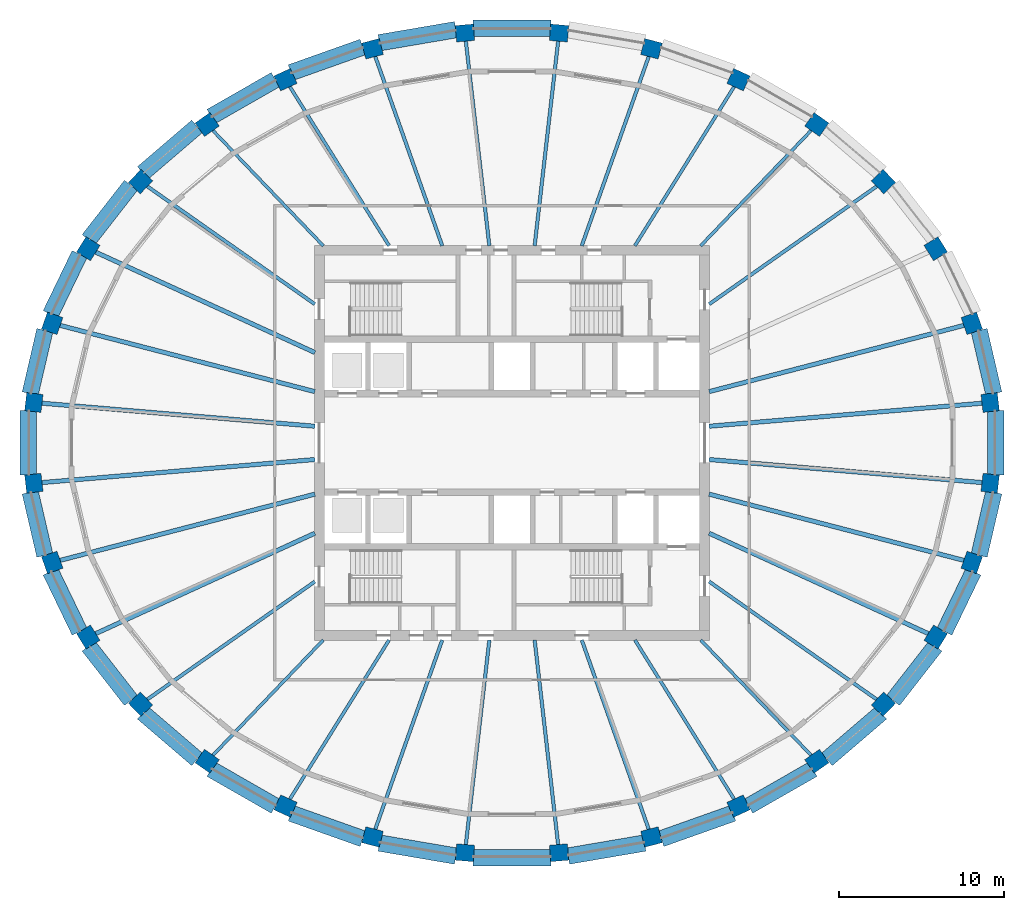
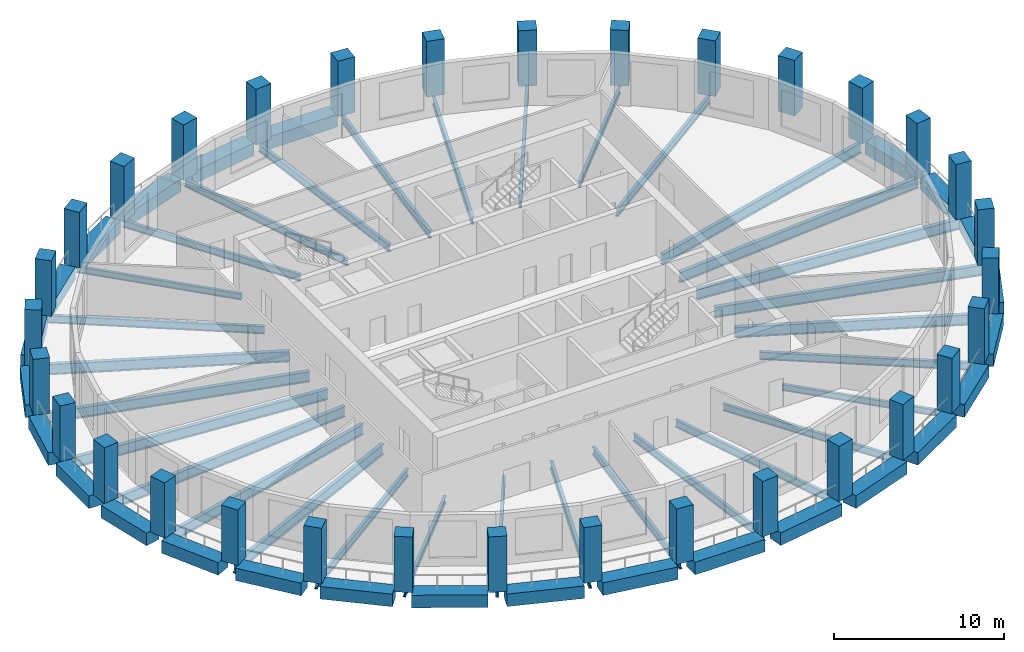
# One storey, part 1 of 10: 57 beams, 32 columns.
"""IFC4 building model written with IfcOpenShell, lengths in metres."""

from ifc_helpers import new_model, si_unit, direction, frame, origin, origin_2d, place, context, subcontext, project, spatial, rectangle, i_section, extrude, material, material_profile, profile_set, type_object, element, save


model = new_model("IFC4")

# Units and contexts
model_context = context("Model", 3, precision=1e-05, world=origin(), true_north=direction((0.0, 1.0)))
body_context = subcontext(model_context, "Body", "Model", "MODEL_VIEW")
ifc_project = project(units=[si_unit("LENGTHUNIT", "METRE"), si_unit("AREAUNIT", "SQUARE_METRE"), si_unit("VOLUMEUNIT", "CUBIC_METRE"), si_unit("PLANEANGLEUNIT", "RADIAN"), si_unit("MASSUNIT", "GRAM", prefix="KILO")], contexts=[model_context])

# Site, building, storey
site_placement = place(None, origin())
site = spatial("IfcSite", under=ifc_project, at=site_placement, CompositionType="ELEMENT")
building_placement = place(site_placement, origin())
building = spatial("IfcBuilding", under=site, at=building_placement, Name="Halqa Exchange Tower", CompositionType="ELEMENT")
storey_placement = place(building_placement, frame((0.0, 0.0, 288.300048828125)))
storey = spatial("IfcBuildingStorey", under=building, at=storey_placement, Name="L67", CompositionType="ELEMENT", Elevation=288.300048828125)

# Columns
ifc_material_1 = material(Name="Concrete C60/75", Category="concrete")
ifc_material_profile_1 = material_profile(ifc_material_1, rectangle(XDim=1.10009765625, YDim=1.0, at=origin_2d()), Name="1100 x 1000")
ifc_profile_set_1 = profile_set([ifc_material_profile_1], Name="Concrete C60/75")
column_type = type_object("IfcColumnType", Name="RC ring column 1100 x 1000 C60/75", PredefinedType="COLUMN", material=ifc_profile_set_1)
for number, where, z_axis, x_axis, name in (
    (1, (29.043701171875, 2.451904296875, 0.0), (0.0, 0.0, 1.0), (-0.114162123735, 0.993462132899, 0.0), "Ring column 1"),
    (2, (27.927490234375, 7.261474609375, 0.0), (0.0, 0.0, 1.0), (-0.33362752424, 0.942704977747, 0.0), "Ring column 2"),
    (3, (25.73828125, 11.7919921875, 0.0), (0.0, 0.0, 1.0), (-0.529141977228, 0.848533303964, 0.0), "Ring column 3"),
    (4, (22.559814453125, 15.869384765625, 0.0), (0.0, 0.0, 1.0), (-0.691574830638, 0.722304820438, 0.0), "Ring column 4"),
    (5, (18.514404296875, 19.3369140625, 0.0), (0.0, 0.0, 1.0), (-0.817905775493, 0.575352189893, 0.0), "Ring column 5"),
    (6, (13.75732421875, 22.061279296875, 0.0), (0.0, 0.0, 1.0), (-0.909128549752, 0.416515641994, 0.0), "Ring column 6"),
    (7, (8.4716796875, 23.93798828125, 0.0), (0.0, 0.0, 1.0), (-0.967821260364, 0.251638645656, 0.0), "Ring column 7"),
    (8, (2.860595703125, 24.89453125, 0.0), (0.0, 0.0, 1.0), (-0.996456106239, 0.084114376531, 0.0), "Ring column 8"),
    (9, (-2.860595703125, 24.89453125, 0.0), (0.0, 0.0, 1.0), (-0.996456106239, -0.084114376531, 0.0), "Ring column 9"),
    (10, (-8.4716796875, 23.93798828125, 0.0), (0.0, 0.0, 1.0), (-0.967821260364, -0.251638645656, 0.0), "Ring column 10"),
    (11, (-13.75732421875, 22.061279296875, 0.0), (0.0, 0.0, 1.0), (-0.909128549752, -0.416515641994, 0.0), "Ring column 11"),
    (12, (-18.514404296875, 19.3369140625, 0.0), (0.0, 0.0, 1.0), (-0.817905775493, -0.575352189893, 0.0), "Ring column 12"),
    (13, (-22.559814453125, 15.869384765625, 0.0), (0.0, 0.0, 1.0), (-0.691574830638, -0.722304820438, 0.0), "Ring column 13"),
    (14, (-25.73828125, 11.7919921875, 0.0), (0.0, 0.0, 1.0), (-0.529141977228, -0.848533303964, 0.0), "Ring column 14"),
    (15, (-27.927490234375, 7.261474609375, 0.0), (0.0, 0.0, 1.0), (-0.33362752424, -0.942704977747, 0.0), "Ring column 15"),
    (16, (-29.043701171875, 2.451904296875, 0.0), (0.0, 0.0, 1.0), (-0.114162123735, -0.993462132899, 0.0), "Ring column 16"),
    (17, (-29.043701171875, -2.451904296875, 0.0), (0.0, 0.0, 1.0), (0.114162123735, -0.993462132899, 0.0), "Ring column 17"),
    (18, (-27.927490234375, -7.261474609375, 0.0), (0.0, 0.0, 1.0), (0.33362752424, -0.942704977747, 0.0), "Ring column 18"),
    (19, (-25.73828125, -11.7919921875, 0.0), (0.0, 0.0, 1.0), (0.529141977228, -0.848533303964, 0.0), "Ring column 19"),
    (20, (-22.559814453125, -15.869384765625, 0.0), (0.0, 0.0, 1.0), (0.691574830638, -0.722304820438, 0.0), "Ring column 20"),
    (21, (-18.514404296875, -19.3369140625, 0.0), (0.0, 0.0, 1.0), (0.817905775493, -0.575352189893, 0.0), "Ring column 21"),
    (22, (-13.75732421875, -22.061279296875, 0.0), (0.0, 0.0, 1.0), (0.909128549752, -0.416515641994, 0.0), "Ring column 22"),
    (23, (-8.4716796875, -23.93798828125, 0.0), (0.0, 0.0, 1.0), (0.967821260364, -0.251638645656, 0.0), "Ring column 23"),
    (24, (-2.860595703125, -24.89453125, 0.0), (0.0, 0.0, 1.0), (0.996456106239, -0.084114376531, 0.0), "Ring column 24"),
    (25, (2.860595703125, -24.89453125, 0.0), (0.0, 0.0, 1.0), (0.996456106239, 0.084114376531, 0.0), "Ring column 25"),
    (26, (8.4716796875, -23.93798828125, 0.0), (0.0, 0.0, 1.0), (0.967821260364, 0.251638645656, 0.0), "Ring column 26"),
    (27, (13.75732421875, -22.061279296875, 0.0), (0.0, 0.0, 1.0), (0.909128549752, 0.416515641994, 0.0), "Ring column 27"),
    (28, (18.514404296875, -19.3369140625, 0.0), (0.0, 0.0, 1.0), (0.817905775493, 0.575352189893, 0.0), "Ring column 28"),
    (29, (22.559814453125, -15.869384765625, 0.0), (0.0, 0.0, 1.0), (0.691574830638, 0.722304820438, 0.0), "Ring column 29"),
    (30, (25.73828125, -11.7919921875, 0.0), (0.0, 0.0, 1.0), (0.529141977228, 0.848533303964, 0.0), "Ring column 30"),
    (31, (27.927490234375, -7.261474609375, 0.0), (0.0, 0.0, 1.0), (0.33362752424, 0.942704977747, 0.0), "Ring column 31"),
    (32, (29.043701171875, -2.451904296875, 0.0), (0.0, 0.0, 1.0), (0.114162123735, 0.993462132899, 0.0), "Ring column 32"),
):
    element("IfcColumn", number, at=place(storey_placement, frame(where, z_axis=z_axis, x_axis=x_axis)), inside=storey, type_object=column_type, Name=name, PredefinedType="COLUMN", context=body_context, shape_type="SweptSolid", body=[
        extrude(rectangle(XDim=1.10009765625, YDim=1.0, at=origin_2d()), origin(), (0.0, 0.0, 1.0), 4.0),
    ])

# Beams
ifc_material_2 = material(Name="Steel S355", Category="steel")
ifc_material_profile_2 = material_profile(ifc_material_2, i_section(OverallWidth=0.18994140625, OverallDepth=0.449951171875, WebThickness=0.009521484375, FlangeThickness=0.0146484375, FilletRadius=0.02099609375, at=origin_2d()), Name="IPE 450")
ifc_profile_set_2 = profile_set([ifc_material_profile_2], Name="Steel S355")
beam_type_1 = type_object("IfcBeamType", Name="Floor beam IPE 450", PredefinedType="BEAM", material=ifc_profile_set_2)
for number, where, z_axis, x_axis, name in (
    (33, (11.462890625, 11.97216796875, -0.525146484375), (0.691569359683, 0.722310058595, 0.0), (-0.722310058595, 0.691569359683, 0.0), "Radial beam 5"),
    (34, (-11.462890625, 11.97216796875, -0.525146484375), (-0.691569359683, 0.722310058595, 0.0), (-0.722310058595, -0.691569359683, 0.0), "Radial beam 12"),
    (35, (-11.462890625, -11.97216796875, -0.525146484375), (-0.691569359683, -0.722310058595, 0.0), (0.722310058595, -0.691569359683, 0.0), "Radial beam 21"),
    (36, (11.462890625, -11.97216796875, -0.525146484375), (0.691569359683, -0.722310058595, 0.0), (0.722310058595, 0.691569359683, 0.0), "Radial beam 28"),
):
    element("IfcBeam", number, at=place(storey_placement, frame(where, z_axis=z_axis, x_axis=x_axis)), inside=storey, type_object=beam_type_1, Name=name, PredefinedType="BEAM", context=body_context, shape_type="SweptSolid", body=[
        extrude(i_section(OverallWidth=0.18994140625, OverallDepth=0.449951171875, WebThickness=0.009521484375, FlangeThickness=0.0146484375, FilletRadius=0.02099609375, at=origin_2d()), origin(), (0.0, 0.0, 1.0), 10.1337890625),
    ])
ifc_material_profile_3 = material_profile(ifc_material_2, i_section(OverallWidth=0.199951171875, OverallDepth=0.5, WebThickness=0.01025390625, FlangeThickness=0.01611328125, FilletRadius=0.02099609375, at=origin_2d()), Name="IPE 500")
ifc_profile_set_3 = profile_set([ifc_material_profile_3], Name="Steel S355")
beam_type_2 = type_object("IfcBeamType", Name="Floor beam IPE 500", PredefinedType="BEAM", material=ifc_profile_set_3)
for number, where, z_axis, x_axis, name in (
    (37, (7.4658203125, 11.97216796875, -0.550048828125), (0.529125964216, 0.848543289404, 0.0), (-0.848543289404, 0.529125964216, 0.0), "Radial beam 6"),
    (38, (-7.4658203125, 11.97216796875, -0.550048828125), (-0.529125964216, 0.848543289404, 0.0), (-0.848543289404, -0.529125964216, 0.0), "Radial beam 11"),
    (39, (-7.4658203125, -11.97216796875, -0.550048828125), (-0.529125964216, -0.848543289404, 0.0), (0.848543289404, -0.529125964216, 0.0), "Radial beam 22"),
    (40, (7.4658203125, -11.97216796875, -0.550048828125), (0.529125964216, -0.848543289404, 0.0), (0.848543289404, 0.529125964216, 0.0), "Radial beam 27"),
):
    element("IfcBeam", number, at=place(storey_placement, frame(where, z_axis=z_axis, x_axis=x_axis)), inside=storey, type_object=beam_type_2, Name=name, PredefinedType="BEAM", context=body_context, shape_type="SweptSolid", body=[
        extrude(i_section(OverallWidth=0.199951171875, OverallDepth=0.5, WebThickness=0.01025390625, FlangeThickness=0.01611328125, FilletRadius=0.02099609375, at=origin_2d()), origin(), (0.0, 0.0, 1.0), 11.81884765625),
    ])
ifc_material_profile_4 = material_profile(ifc_material_2, i_section(OverallWidth=0.2099609375, OverallDepth=0.550048828125, WebThickness=0.010986328125, FlangeThickness=0.01708984375, FilletRadius=0.02392578125, at=origin_2d()), Name="IPE 550")
ifc_profile_set_4 = profile_set([ifc_material_profile_4], Name="Steel S355")
beam_type_3 = type_object("IfcBeamType", Name="Floor beam IPE 550", PredefinedType="BEAM", material=ifc_profile_set_4)
beam_1_placement = place(storey_placement, frame((11.97265625, 8.422119140625, -0.574951171875), z_axis=(0.817909403021, 0.575347033059, 0.0), x_axis=(-0.575347033059, 0.817909403021, 0.0)))
element("IfcBeam", 41, at=beam_1_placement, inside=storey, type_object=beam_type_3, Name="Radial beam 4", PredefinedType="BEAM", context=body_context, shape_type="SweptSolid", body=[
    extrude(i_section(OverallWidth=0.2099609375, OverallDepth=0.550048828125, WebThickness=0.010986328125, FlangeThickness=0.01708984375, FilletRadius=0.02392578125, at=origin_2d()), origin(), (0.0, 0.0, 1.0), 12.891357421875),
])
beam_2_placement = place(storey_placement, frame((4.23681640625, 11.971923828125, -0.574951171875), z_axis=(0.333635796759, 0.942702050025, 0.0), x_axis=(-0.942702050025, 0.333635796759, 0.0)))
element("IfcBeam", 42, at=beam_2_placement, inside=storey, type_object=beam_type_3, Name="Radial beam 7", PredefinedType="BEAM", context=body_context, shape_type="SweptSolid", body=[
    extrude(i_section(OverallWidth=0.2099609375, OverallDepth=0.550048828125, WebThickness=0.010986328125, FlangeThickness=0.01708984375, FilletRadius=0.02392578125, at=origin_2d()), origin(), (0.0, 0.0, 1.0), 12.616943359375),
])
for number, where, z_axis, x_axis, name in (
    (43, (1.37548828125, 11.9716796875, -0.574951171875), (0.114161112219, 0.993462249135, 0.0), (-0.993462249135, 0.114161112219, 0.0), "Radial beam 8"),
    (44, (-1.37548828125, 11.9716796875, -0.574951171875), (-0.114161112219, 0.993462249135, 0.0), (-0.993462249135, -0.114161112219, 0.0), "Radial beam 9"),
):
    element("IfcBeam", number, at=place(storey_placement, frame(where, z_axis=z_axis, x_axis=x_axis)), inside=storey, type_object=beam_type_3, Name=name, PredefinedType="BEAM", context=body_context, shape_type="SweptSolid", body=[
        extrude(i_section(OverallWidth=0.2099609375, OverallDepth=0.550048828125, WebThickness=0.010986328125, FlangeThickness=0.01708984375, FilletRadius=0.02392578125, at=origin_2d()), origin(), (0.0, 0.0, 1.0), 12.9296875),
    ])
beam_3_placement = place(storey_placement, frame((-4.23681640625, 11.971923828125, -0.574951171875), z_axis=(-0.333635796759, 0.942702050025, 0.0), x_axis=(-0.942702050025, -0.333635796759, 0.0)))
element("IfcBeam", 45, at=beam_3_placement, inside=storey, type_object=beam_type_3, Name="Radial beam 10", PredefinedType="BEAM", context=body_context, shape_type="SweptSolid", body=[
    extrude(i_section(OverallWidth=0.2099609375, OverallDepth=0.550048828125, WebThickness=0.010986328125, FlangeThickness=0.01708984375, FilletRadius=0.02392578125, at=origin_2d()), origin(), (0.0, 0.0, 1.0), 12.616943359375),
])
for number, where, z_axis, x_axis, name in (
    (46, (-11.97265625, 8.422119140625, -0.574951171875), (-0.817909403021, 0.575347033059, 0.0), (-0.575347033059, -0.817909403021, 0.0), "Radial beam 13"),
    (47, (-11.97265625, -8.422119140625, -0.574951171875), (-0.817909403021, -0.575347033059, 0.0), (0.575347033059, -0.817909403021, 0.0), "Radial beam 20"),
):
    element("IfcBeam", number, at=place(storey_placement, frame(where, z_axis=z_axis, x_axis=x_axis)), inside=storey, type_object=beam_type_3, Name=name, PredefinedType="BEAM", context=body_context, shape_type="SweptSolid", body=[
        extrude(i_section(OverallWidth=0.2099609375, OverallDepth=0.550048828125, WebThickness=0.010986328125, FlangeThickness=0.01708984375, FilletRadius=0.02392578125, at=origin_2d()), origin(), (0.0, 0.0, 1.0), 12.891357421875),
    ])
beam_4_placement = place(storey_placement, frame((-4.23681640625, -11.971923828125, -0.574951171875), z_axis=(-0.333635796759, -0.942702050025, 0.0), x_axis=(0.942702050025, -0.333635796759, 0.0)))
element("IfcBeam", 48, at=beam_4_placement, inside=storey, type_object=beam_type_3, Name="Radial beam 23", PredefinedType="BEAM", context=body_context, shape_type="SweptSolid", body=[
    extrude(i_section(OverallWidth=0.2099609375, OverallDepth=0.550048828125, WebThickness=0.010986328125, FlangeThickness=0.01708984375, FilletRadius=0.02392578125, at=origin_2d()), origin(), (0.0, 0.0, 1.0), 12.616943359375),
])
for number, where, z_axis, x_axis, name in (
    (49, (-1.37548828125, -11.9716796875, -0.574951171875), (-0.114161112219, -0.993462249135, 0.0), (0.993462249135, -0.114161112219, 0.0), "Radial beam 24"),
    (50, (1.37548828125, -11.9716796875, -0.574951171875), (0.114161112219, -0.993462249135, 0.0), (0.993462249135, 0.114161112219, 0.0), "Radial beam 25"),
):
    element("IfcBeam", number, at=place(storey_placement, frame(where, z_axis=z_axis, x_axis=x_axis)), inside=storey, type_object=beam_type_3, Name=name, PredefinedType="BEAM", context=body_context, shape_type="SweptSolid", body=[
        extrude(i_section(OverallWidth=0.2099609375, OverallDepth=0.550048828125, WebThickness=0.010986328125, FlangeThickness=0.01708984375, FilletRadius=0.02392578125, at=origin_2d()), origin(), (0.0, 0.0, 1.0), 12.9296875),
    ])
beam_5_placement = place(storey_placement, frame((4.23681640625, -11.971923828125, -0.574951171875), z_axis=(0.333635796759, -0.942702050025, 0.0), x_axis=(0.942702050025, 0.333635796759, 0.0)))
element("IfcBeam", 51, at=beam_5_placement, inside=storey, type_object=beam_type_3, Name="Radial beam 26", PredefinedType="BEAM", context=body_context, shape_type="SweptSolid", body=[
    extrude(i_section(OverallWidth=0.2099609375, OverallDepth=0.550048828125, WebThickness=0.010986328125, FlangeThickness=0.01708984375, FilletRadius=0.02392578125, at=origin_2d()), origin(), (0.0, 0.0, 1.0), 12.616943359375),
])
beam_6_placement = place(storey_placement, frame((11.97265625, -8.422119140625, -0.574951171875), z_axis=(0.817909403021, -0.575347033059, 0.0), x_axis=(0.575347033059, 0.817909403021, 0.0)))
element("IfcBeam", 52, at=beam_6_placement, inside=storey, type_object=beam_type_3, Name="Radial beam 29", PredefinedType="BEAM", context=body_context, shape_type="SweptSolid", body=[
    extrude(i_section(OverallWidth=0.2099609375, OverallDepth=0.550048828125, WebThickness=0.010986328125, FlangeThickness=0.01708984375, FilletRadius=0.02392578125, at=origin_2d()), origin(), (0.0, 0.0, 1.0), 12.891357421875),
])
ifc_material_profile_5 = material_profile(ifc_material_2, i_section(OverallWidth=0.264892578125, OverallDepth=0.7529296875, WebThickness=0.01318359375, FlangeThickness=0.01708984375, FilletRadius=0.01708984375, at=origin_2d()), Name="IPE 750x147")
ifc_profile_set_5 = profile_set([ifc_material_profile_5], Name="Steel S355")
beam_type_4 = type_object("IfcBeamType", Name="Floor beam IPE 750x147", PredefinedType="BEAM", material=ifc_profile_set_5)
beam_7_placement = place(storey_placement, frame((11.972900390625, 1.0107421875, -0.676513671875), z_axis=(0.9964559812, 0.084115857779, 0.0), x_axis=(-0.084115857779, 0.9964559812, 0.0)))
element("IfcBeam", 53, at=beam_7_placement, inside=storey, type_object=beam_type_4, Name="Radial beam 1", PredefinedType="BEAM", context=body_context, shape_type="SweptSolid", body=[
    extrude(i_section(OverallWidth=0.264892578125, OverallDepth=0.7529296875, WebThickness=0.01318359375, FlangeThickness=0.01708984375, FilletRadius=0.01708984375, at=origin_2d()), origin(), (0.0, 0.0, 1.0), 17.10107421875),
])
beam_8_placement = place(storey_placement, frame((11.97265625, 3.113037109375, -0.676513671875), z_axis=(0.967820121155, 0.2516430271, 0.0), x_axis=(-0.2516430271, 0.967820121155, 0.0)))
element("IfcBeam", 54, at=beam_8_placement, inside=storey, type_object=beam_type_4, Name="Radial beam 2", PredefinedType="BEAM", context=body_context, shape_type="SweptSolid", body=[
    extrude(i_section(OverallWidth=0.264892578125, OverallDepth=0.7529296875, WebThickness=0.01318359375, FlangeThickness=0.01708984375, FilletRadius=0.01708984375, at=origin_2d()), origin(), (0.0, 0.0, 1.0), 16.449462890625),
])
beam_9_placement = place(storey_placement, frame((-11.972412109375, 5.4853515625, -0.676513671875), z_axis=(-0.909129124533, 0.416514387417, 0.0), x_axis=(-0.416514387417, -0.909129124533, 0.0)))
element("IfcBeam", 55, at=beam_9_placement, inside=storey, type_object=beam_type_4, Name="Radial beam 14", PredefinedType="BEAM", context=body_context, shape_type="SweptSolid", body=[
    extrude(i_section(OverallWidth=0.264892578125, OverallDepth=0.7529296875, WebThickness=0.01318359375, FlangeThickness=0.01708984375, FilletRadius=0.01708984375, at=origin_2d()), origin(), (0.0, 0.0, 1.0), 15.097412109375),
])
beam_10_placement = place(storey_placement, frame((-11.97265625, 3.113037109375, -0.676513671875), z_axis=(-0.967820121155, 0.2516430271, 0.0), x_axis=(-0.2516430271, -0.967820121155, 0.0)))
element("IfcBeam", 56, at=beam_10_placement, inside=storey, type_object=beam_type_4, Name="Radial beam 15", PredefinedType="BEAM", context=body_context, shape_type="SweptSolid", body=[
    extrude(i_section(OverallWidth=0.264892578125, OverallDepth=0.7529296875, WebThickness=0.01318359375, FlangeThickness=0.01708984375, FilletRadius=0.01708984375, at=origin_2d()), origin(), (0.0, 0.0, 1.0), 16.449462890625),
])
for number, where, z_axis, x_axis, name in (
    (57, (-11.972900390625, 1.0107421875, -0.676513671875), (-0.9964559812, 0.084115857779, 0.0), (-0.084115857779, -0.9964559812, 0.0), "Radial beam 16"),
    (58, (-11.972900390625, -1.0107421875, -0.676513671875), (-0.9964559812, -0.084115857779, 0.0), (0.084115857779, -0.9964559812, 0.0), "Radial beam 17"),
):
    element("IfcBeam", number, at=place(storey_placement, frame(where, z_axis=z_axis, x_axis=x_axis)), inside=storey, type_object=beam_type_4, Name=name, PredefinedType="BEAM", context=body_context, shape_type="SweptSolid", body=[
        extrude(i_section(OverallWidth=0.264892578125, OverallDepth=0.7529296875, WebThickness=0.01318359375, FlangeThickness=0.01708984375, FilletRadius=0.01708984375, at=origin_2d()), origin(), (0.0, 0.0, 1.0), 17.10107421875),
    ])
beam_11_placement = place(storey_placement, frame((-11.97265625, -3.113037109375, -0.676513671875), z_axis=(-0.967820121155, -0.2516430271, 0.0), x_axis=(0.2516430271, -0.967820121155, 0.0)))
element("IfcBeam", 59, at=beam_11_placement, inside=storey, type_object=beam_type_4, Name="Radial beam 18", PredefinedType="BEAM", context=body_context, shape_type="SweptSolid", body=[
    extrude(i_section(OverallWidth=0.264892578125, OverallDepth=0.7529296875, WebThickness=0.01318359375, FlangeThickness=0.01708984375, FilletRadius=0.01708984375, at=origin_2d()), origin(), (0.0, 0.0, 1.0), 16.449462890625),
])
for number, where, z_axis, x_axis, name in (
    (60, (-11.972412109375, -5.4853515625, -0.676513671875), (-0.909129124533, -0.416514387417, 0.0), (0.416514387417, -0.909129124533, 0.0), "Radial beam 19"),
    (61, (11.972412109375, -5.4853515625, -0.676513671875), (0.909129124533, -0.416514387417, 0.0), (0.416514387417, 0.909129124533, 0.0), "Radial beam 30"),
):
    element("IfcBeam", number, at=place(storey_placement, frame(where, z_axis=z_axis, x_axis=x_axis)), inside=storey, type_object=beam_type_4, Name=name, PredefinedType="BEAM", context=body_context, shape_type="SweptSolid", body=[
        extrude(i_section(OverallWidth=0.264892578125, OverallDepth=0.7529296875, WebThickness=0.01318359375, FlangeThickness=0.01708984375, FilletRadius=0.01708984375, at=origin_2d()), origin(), (0.0, 0.0, 1.0), 15.097412109375),
    ])
beam_12_placement = place(storey_placement, frame((11.97265625, -3.113037109375, -0.676513671875), z_axis=(0.967820121155, -0.2516430271, 0.0), x_axis=(0.2516430271, 0.967820121155, 0.0)))
element("IfcBeam", 62, at=beam_12_placement, inside=storey, type_object=beam_type_4, Name="Radial beam 31", PredefinedType="BEAM", context=body_context, shape_type="SweptSolid", body=[
    extrude(i_section(OverallWidth=0.264892578125, OverallDepth=0.7529296875, WebThickness=0.01318359375, FlangeThickness=0.01708984375, FilletRadius=0.01708984375, at=origin_2d()), origin(), (0.0, 0.0, 1.0), 16.449462890625),
])
beam_13_placement = place(storey_placement, frame((11.972900390625, -1.0107421875, -0.676513671875), z_axis=(0.9964559812, -0.084115857779, 0.0), x_axis=(0.084115857779, 0.9964559812, 0.0)))
element("IfcBeam", 63, at=beam_13_placement, inside=storey, type_object=beam_type_4, Name="Radial beam 32", PredefinedType="BEAM", context=body_context, shape_type="SweptSolid", body=[
    extrude(i_section(OverallWidth=0.264892578125, OverallDepth=0.7529296875, WebThickness=0.01318359375, FlangeThickness=0.01708984375, FilletRadius=0.01708984375, at=origin_2d()), origin(), (0.0, 0.0, 1.0), 17.10107421875),
])
ifc_material_profile_6 = material_profile(ifc_material_1, rectangle(XDim=1.0, YDim=0.89990234375, at=origin_2d()), Name="1000 x 900")
ifc_profile_set_6 = profile_set([ifc_material_profile_6], Name="Concrete C60/75")
beam_type_5 = type_object("IfcBeamType", Name="RC spandrel beam 1000 x 900 C60/75", PredefinedType="SPANDREL", material=ifc_profile_set_6)
beam_14_placement = place(storey_placement, frame((29.265380859375, 2.99169921875, -0.449951171875), z_axis=(-0.226030079341, 0.97412032277, 0.0), x_axis=(-0.97412032277, -0.226030079341, 0.0)))
element("IfcBeam", 64, at=beam_14_placement, inside=storey, type_object=beam_type_5, Name="Spandrel 1", PredefinedType="SPANDREL", context=body_context, shape_type="SweptSolid", body=[
    extrude(rectangle(XDim=1.0, YDim=0.89990234375, at=origin_2d()), origin(), (0.0, 0.0, 1.0), 3.944580078125),
])
beam_15_placement = place(storey_placement, frame((2.370361328125, 25.186279296875, -0.449951171875), z_axis=(-1.0, 0.0, 0.0), x_axis=(0.0, -1.0, 0.0)))
element("IfcBeam", 65, at=beam_15_placement, inside=storey, type_object=beam_type_5, Name="Spandrel 8", PredefinedType="SPANDREL", context=body_context, shape_type="SweptSolid", body=[
    extrude(rectangle(XDim=1.0, YDim=0.89990234375, at=origin_2d()), origin(), (0.0, 0.0, 1.0), 4.74072265625),
])
beam_16_placement = place(storey_placement, frame((-3.410400390625, 25.098388671875, -0.449951171875), z_axis=(-0.985774984222, -0.168070462848, 0.0), x_axis=(0.168070462848, -0.985774984222, 0.0)))
element("IfcBeam", 66, at=beam_16_placement, inside=storey, type_object=beam_type_5, Name="Spandrel 9", PredefinedType="SPANDREL", context=body_context, shape_type="SweptSolid", body=[
    extrude(rectangle(XDim=1.0, YDim=0.89990234375, at=origin_2d()), origin(), (0.0, 0.0, 1.0), 4.710693359375),
])
beam_17_placement = place(storey_placement, frame((-9.065673828125, 24.04296875, -0.449951171875), z_axis=(-0.942367104473, -0.334580693418, 0.0), x_axis=(0.334580693418, -0.942367104473, 0.0)))
element("IfcBeam", 67, at=beam_17_placement, inside=storey, type_object=beam_type_5, Name="Spandrel 10", PredefinedType="SPANDREL", context=body_context, shape_type="SweptSolid", body=[
    extrude(rectangle(XDim=1.0, YDim=0.89990234375, at=origin_2d()), origin(), (0.0, 0.0, 1.0), 4.626220703125),
])
beam_18_placement = place(storey_placement, frame((-14.373779296875, 22.05908203125, -0.449951171875), z_axis=(-0.867761736786, -0.496980450492, 0.0), x_axis=(0.496980450492, -0.867761736786, 0.0)))
element("IfcBeam", 68, at=beam_18_placement, inside=storey, type_object=beam_type_5, Name="Spandrel 11", PredefinedType="SPANDREL", context=body_context, shape_type="SweptSolid", body=[
    extrude(rectangle(XDim=1.0, YDim=0.89990234375, at=origin_2d()), origin(), (0.0, 0.0, 1.0), 4.497802734375),
])
beam_19_placement = place(storey_placement, frame((-19.129638671875, 19.22216796875, -0.449951171875), z_axis=(-0.759256602365, -0.650791373456, 0.0), x_axis=(0.650791373456, -0.759256602365, 0.0)))
element("IfcBeam", 69, at=beam_19_placement, inside=storey, type_object=beam_type_5, Name="Spandrel 12", PredefinedType="SPANDREL", context=body_context, shape_type="SweptSolid", body=[
    extrude(rectangle(XDim=1.0, YDim=0.89990234375, at=origin_2d()), origin(), (0.0, 0.0, 1.0), 4.342041015625),
])
beam_20_placement = place(storey_placement, frame((-23.147216796875, 15.64111328125, -0.449951171875), z_axis=(-0.614781231149, -0.788697684684, 0.0), x_axis=(0.788697684684, -0.614781231149, 0.0)))
element("IfcBeam", 70, at=beam_20_placement, inside=storey, type_object=beam_type_5, Name="Spandrel 13", PredefinedType="SPANDREL", context=body_context, shape_type="SweptSolid", body=[
    extrude(rectangle(XDim=1.0, YDim=0.89990234375, at=origin_2d()), origin(), (0.0, 0.0, 1.0), 4.180419921875),
])
beam_21_placement = place(storey_placement, frame((-26.268798828125, 11.456787109375, -0.449951171875), z_axis=(-0.435061697702, -0.90040064371, 0.0), x_axis=(0.90040064371, -0.435061697702, 0.0)))
element("IfcBeam", 71, at=beam_21_placement, inside=storey, type_object=beam_type_5, Name="Spandrel 14", PredefinedType="SPANDREL", context=body_context, shape_type="SweptSolid", body=[
    extrude(rectangle(XDim=1.0, YDim=0.89990234375, at=origin_2d()), origin(), (0.0, 0.0, 1.0), 4.039794921875),
])
beam_22_placement = place(storey_placement, frame((-28.373779296875, 6.834228515625, -0.449951171875), z_axis=(-0.226030079341, -0.97412032277, 0.0), x_axis=(0.97412032277, -0.226030079341, 0.0)))
element("IfcBeam", 72, at=beam_22_placement, inside=storey, type_object=beam_type_5, Name="Spandrel 15", PredefinedType="SPANDREL", context=body_context, shape_type="SweptSolid", body=[
    extrude(rectangle(XDim=1.0, YDim=0.89990234375, at=origin_2d()), origin(), (0.0, 0.0, 1.0), 3.944580078125),
])
beam_23_placement = place(storey_placement, frame((-29.384033203125, 1.95556640625, -0.449951171875), z_axis=(0.0, -1.0, 0.0), x_axis=(1.0, 0.0, 0.0)))
element("IfcBeam", 73, at=beam_23_placement, inside=storey, type_object=beam_type_5, Name="Spandrel 16", PredefinedType="SPANDREL", context=body_context, shape_type="SweptSolid", body=[
    extrude(rectangle(XDim=1.0, YDim=0.89990234375, at=origin_2d()), origin(), (0.0, 0.0, 1.0), 3.9111328125),
])
beam_24_placement = place(storey_placement, frame((-29.265380859375, -2.99169921875, -0.449951171875), z_axis=(0.226030079341, -0.97412032277, 0.0), x_axis=(0.97412032277, 0.226030079341, 0.0)))
element("IfcBeam", 74, at=beam_24_placement, inside=storey, type_object=beam_type_5, Name="Spandrel 17", PredefinedType="SPANDREL", context=body_context, shape_type="SweptSolid", body=[
    extrude(rectangle(XDim=1.0, YDim=0.89990234375, at=origin_2d()), origin(), (0.0, 0.0, 1.0), 3.944580078125),
])
beam_25_placement = place(storey_placement, frame((-28.0263671875, -7.8193359375, -0.449951171875), z_axis=(0.435061697702, -0.90040064371, 0.0), x_axis=(0.90040064371, 0.435061697702, 0.0)))
element("IfcBeam", 75, at=beam_25_placement, inside=storey, type_object=beam_type_5, Name="Spandrel 18", PredefinedType="SPANDREL", context=body_context, shape_type="SweptSolid", body=[
    extrude(rectangle(XDim=1.0, YDim=0.89990234375, at=origin_2d()), origin(), (0.0, 0.0, 1.0), 4.039794921875),
])
beam_26_placement = place(storey_placement, frame((-25.71728515625, -12.343994140625, -0.449951171875), z_axis=(0.614781231149, -0.788697684684, 0.0), x_axis=(0.788697684684, 0.614781231149, 0.0)))
element("IfcBeam", 76, at=beam_26_placement, inside=storey, type_object=beam_type_5, Name="Spandrel 19", PredefinedType="SPANDREL", context=body_context, shape_type="SweptSolid", body=[
    extrude(rectangle(XDim=1.0, YDim=0.89990234375, at=origin_2d()), origin(), (0.0, 0.0, 1.0), 4.180419921875),
])
beam_27_placement = place(storey_placement, frame((-22.42626953125, -16.396484375, -0.449951171875), z_axis=(0.759256602365, -0.650791373456, 0.0), x_axis=(0.650791373456, 0.759256602365, 0.0)))
element("IfcBeam", 77, at=beam_27_placement, inside=storey, type_object=beam_type_5, Name="Spandrel 20", PredefinedType="SPANDREL", context=body_context, shape_type="SweptSolid", body=[
    extrude(rectangle(XDim=1.0, YDim=0.89990234375, at=origin_2d()), origin(), (0.0, 0.0, 1.0), 4.342041015625),
])
beam_28_placement = place(storey_placement, frame((-18.27685546875, -19.82373046875, -0.449951171875), z_axis=(0.867761736786, -0.496980450492, 0.0), x_axis=(0.496980450492, 0.867761736786, 0.0)))
element("IfcBeam", 78, at=beam_28_placement, inside=storey, type_object=beam_type_5, Name="Spandrel 21", PredefinedType="SPANDREL", context=body_context, shape_type="SweptSolid", body=[
    extrude(rectangle(XDim=1.0, YDim=0.89990234375, at=origin_2d()), origin(), (0.0, 0.0, 1.0), 4.497802734375),
])
beam_29_placement = place(storey_placement, frame((-13.42529296875, -22.4951171875, -0.449951171875), z_axis=(0.942367104473, -0.334580693418, 0.0), x_axis=(0.334580693418, 0.942367104473, 0.0)))
element("IfcBeam", 79, at=beam_29_placement, inside=storey, type_object=beam_type_5, Name="Spandrel 22", PredefinedType="SPANDREL", context=body_context, shape_type="SweptSolid", body=[
    extrude(rectangle(XDim=1.0, YDim=0.89990234375, at=origin_2d()), origin(), (0.0, 0.0, 1.0), 4.626220703125),
])
beam_30_placement = place(storey_placement, frame((-8.05419921875, -24.306640625, -0.449951171875), z_axis=(0.985774984222, -0.168070462848, 0.0), x_axis=(0.168070462848, 0.985774984222, 0.0)))
element("IfcBeam", 80, at=beam_30_placement, inside=storey, type_object=beam_type_5, Name="Spandrel 23", PredefinedType="SPANDREL", context=body_context, shape_type="SweptSolid", body=[
    extrude(rectangle(XDim=1.0, YDim=0.89990234375, at=origin_2d()), origin(), (0.0, 0.0, 1.0), 4.710693359375),
])
beam_31_placement = place(storey_placement, frame((-2.370361328125, -25.186279296875, -0.449951171875), z_axis=(1.0, 0.0, 0.0), x_axis=(0.0, 1.0, 0.0)))
element("IfcBeam", 81, at=beam_31_placement, inside=storey, type_object=beam_type_5, Name="Spandrel 24", PredefinedType="SPANDREL", context=body_context, shape_type="SweptSolid", body=[
    extrude(rectangle(XDim=1.0, YDim=0.89990234375, at=origin_2d()), origin(), (0.0, 0.0, 1.0), 4.74072265625),
])
beam_32_placement = place(storey_placement, frame((3.410400390625, -25.098388671875, -0.449951171875), z_axis=(0.985774984222, 0.168070462848, 0.0), x_axis=(-0.168070462848, 0.985774984222, 0.0)))
element("IfcBeam", 82, at=beam_32_placement, inside=storey, type_object=beam_type_5, Name="Spandrel 25", PredefinedType="SPANDREL", context=body_context, shape_type="SweptSolid", body=[
    extrude(rectangle(XDim=1.0, YDim=0.89990234375, at=origin_2d()), origin(), (0.0, 0.0, 1.0), 4.710693359375),
])
beam_33_placement = place(storey_placement, frame((9.065673828125, -24.04296875, -0.449951171875), z_axis=(0.942367104473, 0.334580693418, 0.0), x_axis=(-0.334580693418, 0.942367104473, 0.0)))
element("IfcBeam", 83, at=beam_33_placement, inside=storey, type_object=beam_type_5, Name="Spandrel 26", PredefinedType="SPANDREL", context=body_context, shape_type="SweptSolid", body=[
    extrude(rectangle(XDim=1.0, YDim=0.89990234375, at=origin_2d()), origin(), (0.0, 0.0, 1.0), 4.626220703125),
])
beam_34_placement = place(storey_placement, frame((14.373779296875, -22.05908203125, -0.449951171875), z_axis=(0.867761736786, 0.496980450492, 0.0), x_axis=(-0.496980450492, 0.867761736786, 0.0)))
element("IfcBeam", 84, at=beam_34_placement, inside=storey, type_object=beam_type_5, Name="Spandrel 27", PredefinedType="SPANDREL", context=body_context, shape_type="SweptSolid", body=[
    extrude(rectangle(XDim=1.0, YDim=0.89990234375, at=origin_2d()), origin(), (0.0, 0.0, 1.0), 4.497802734375),
])
beam_35_placement = place(storey_placement, frame((19.129638671875, -19.22216796875, -0.449951171875), z_axis=(0.759256602365, 0.650791373456, 0.0), x_axis=(-0.650791373456, 0.759256602365, 0.0)))
element("IfcBeam", 85, at=beam_35_placement, inside=storey, type_object=beam_type_5, Name="Spandrel 28", PredefinedType="SPANDREL", context=body_context, shape_type="SweptSolid", body=[
    extrude(rectangle(XDim=1.0, YDim=0.89990234375, at=origin_2d()), origin(), (0.0, 0.0, 1.0), 4.342041015625),
])
beam_36_placement = place(storey_placement, frame((23.147216796875, -15.64111328125, -0.449951171875), z_axis=(0.614781231149, 0.788697684684, 0.0), x_axis=(-0.788697684684, 0.614781231149, 0.0)))
element("IfcBeam", 86, at=beam_36_placement, inside=storey, type_object=beam_type_5, Name="Spandrel 29", PredefinedType="SPANDREL", context=body_context, shape_type="SweptSolid", body=[
    extrude(rectangle(XDim=1.0, YDim=0.89990234375, at=origin_2d()), origin(), (0.0, 0.0, 1.0), 4.180419921875),
])
beam_37_placement = place(storey_placement, frame((26.268798828125, -11.456787109375, -0.449951171875), z_axis=(0.435061697702, 0.90040064371, 0.0), x_axis=(-0.90040064371, 0.435061697702, 0.0)))
element("IfcBeam", 87, at=beam_37_placement, inside=storey, type_object=beam_type_5, Name="Spandrel 30", PredefinedType="SPANDREL", context=body_context, shape_type="SweptSolid", body=[
    extrude(rectangle(XDim=1.0, YDim=0.89990234375, at=origin_2d()), origin(), (0.0, 0.0, 1.0), 4.039794921875),
])
beam_38_placement = place(storey_placement, frame((28.373779296875, -6.834228515625, -0.449951171875), z_axis=(0.226030079341, 0.97412032277, 0.0), x_axis=(-0.97412032277, 0.226030079341, 0.0)))
element("IfcBeam", 88, at=beam_38_placement, inside=storey, type_object=beam_type_5, Name="Spandrel 31", PredefinedType="SPANDREL", context=body_context, shape_type="SweptSolid", body=[
    extrude(rectangle(XDim=1.0, YDim=0.89990234375, at=origin_2d()), origin(), (0.0, 0.0, 1.0), 3.944580078125),
])
beam_39_placement = place(storey_placement, frame((29.384033203125, -1.95556640625, -0.449951171875), z_axis=(0.0, 1.0, 0.0), x_axis=(-1.0, 0.0, 0.0)))
element("IfcBeam", 89, at=beam_39_placement, inside=storey, type_object=beam_type_5, Name="Spandrel 32", PredefinedType="SPANDREL", context=body_context, shape_type="SweptSolid", body=[
    extrude(rectangle(XDim=1.0, YDim=0.89990234375, at=origin_2d()), origin(), (0.0, 0.0, 1.0), 3.9111328125),
])

save(model, "model.ifc")
